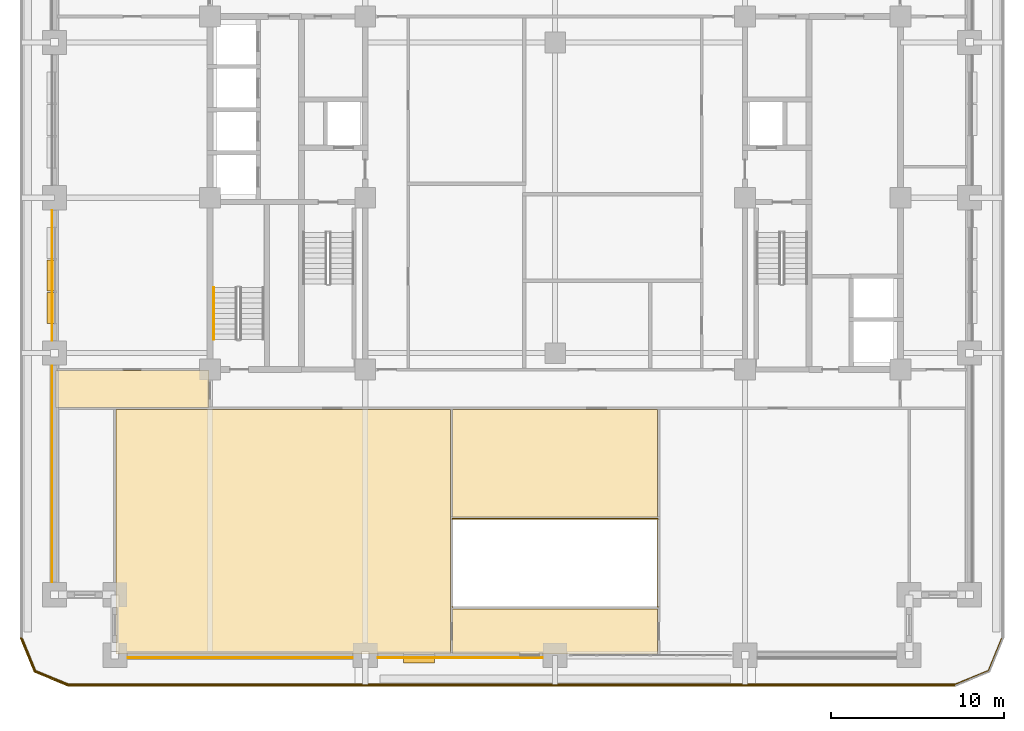
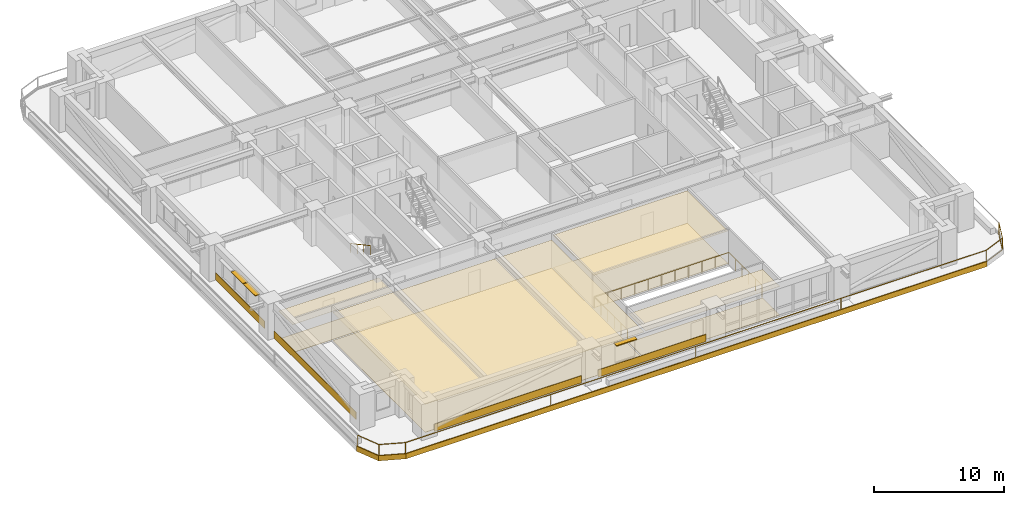
# One storey, part 13 of 20: 15 coverings, 3 railings, 3 shading devices.
"""IFC4 building model written with IfcOpenShell, lengths in metres."""

import ifcopenshell
import ifcopenshell.guid

model = None  # the IFC model being written
_history = None  # IfcOwnerHistory: only IFC2X3 demands one
_inside = {}  # id of a spatial element -> (the spatial element, [elements in it])
_under = {}  # id of a project, library or spatial element -> (it, [spatial elements below it])
_declared = {}  # id of a project -> (the project, [libraries it declares])
_typed = {}  # id of a type object -> (the type object, [elements of that type])
_made_of = {}  # id of a material, layer set ... -> (it, [elements and type objects made of it])


def new_model(schema):
    """Start an empty IFC model of exactly this schema.

    Asked for "IFC4X3", IfcOpenShell would pick the latest addendum, in which some entities
    have other attributes; the version numbers below select the first issue.
    IFC2X3 requires an IfcOwnerHistory on every rooted entity: one is made here for all.
    """
    global model, _history
    if schema == "IFC4X3":
        model = ifcopenshell.file(schema_version=(4, 3, 0, 0))
    else:
        model = ifcopenshell.file(schema=schema)
    _inside.clear()
    _under.clear()
    _declared.clear()
    _typed.clear()
    _made_of.clear()
    _history = None
    if model.schema == "IFC2X3":
        org = make("IfcOrganization", Name="unknown")
        user = make(
            "IfcPersonAndOrganization",
            ThePerson=make("IfcPerson", FamilyName="unknown"),
            TheOrganization=org,
        )
        app = make(
            "IfcApplication",
            ApplicationDeveloper=org,
            Version="unknown",
            ApplicationFullName="unknown",
            ApplicationIdentifier="unknown",
        )
        _history = make(
            "IfcOwnerHistory",
            OwningUser=user,
            OwningApplication=app,
            ChangeAction="ADDED",
            CreationDate=0,
        )
    return model


def make(cls, **values):
    """One entity of the class cls with the attributes given. An attribute that is None is left unset."""
    return model.create_entity(
        cls, **{name: value for name, value in values.items() if value is not None}
    )


def rooted(cls, **values):
    """An entity with a GlobalId (a new one), such as an element, a storey or a relation."""
    return make(cls, GlobalId=ifcopenshell.guid.new(), OwnerHistory=_history, **values)


def si_unit(unit_type, name, prefix=None):
    """IfcSIUnit, for example si_unit("LENGTHUNIT", "METRE", prefix="MILLI")."""
    return make("IfcSIUnit", UnitType=unit_type, Prefix=prefix, Name=name)


def assignment(units):
    """IfcUnitAssignment: the units of a project."""
    return None if units is None else make("IfcUnitAssignment", Units=units)


def point(xyz):
    """IfcCartesianPoint."""
    return None if xyz is None else make("IfcCartesianPoint", Coordinates=xyz)


def direction(xyz):
    """IfcDirection."""
    return None if xyz is None else make("IfcDirection", DirectionRatios=xyz)


def frame(location, z_axis=None, x_axis=None):
    """IfcAxis2Placement3D, a coordinate frame: its origin and axes. An axis left out is left unset."""
    return make(
        "IfcAxis2Placement3D",
        Location=point(location),
        Axis=direction(z_axis),
        RefDirection=direction(x_axis),
    )


def frame_2d(location, x_axis=None):
    """IfcAxis2Placement2D, a coordinate frame in the plane: its origin and x axis."""
    return make(
        "IfcAxis2Placement2D", Location=point(location), RefDirection=direction(x_axis)
    )


def origin():
    """The frame at (0, 0, 0) with its axes left unset."""
    return frame((0.0, 0.0, 0.0))


def origin_2d():
    """The frame at (0, 0) in the plane with its x axis left unset."""
    return frame_2d((0.0, 0.0))


def place(relative_to, where):
    """IfcLocalPlacement: puts the frame where relative to a parent placement (None: the world)."""
    return make(
        "IfcLocalPlacement", PlacementRelTo=relative_to, RelativePlacement=where
    )


def context(
    kind, dimensions, precision=None, world=None, true_north=None, identifier=None
):
    """IfcGeometricRepresentationContext, for example the 3D "Model" context."""
    return make(
        "IfcGeometricRepresentationContext",
        ContextIdentifier=identifier,
        ContextType=kind,
        CoordinateSpaceDimension=dimensions,
        Precision=precision,
        WorldCoordinateSystem=world,
        TrueNorth=true_north,
    )


def subcontext(parent, identifier, kind, view, scale=None):
    """IfcGeometricRepresentationSubContext, for example "Body" below "Model"."""
    return make(
        "IfcGeometricRepresentationSubContext",
        ContextIdentifier=identifier,
        ContextType=kind,
        ParentContext=parent,
        TargetScale=scale,
        TargetView=view,
    )


def project(units=None, contexts=None):
    """IfcProject with its units and contexts."""
    return rooted(
        "IfcProject",
        Name="project",
        RepresentationContexts=contexts,
        UnitsInContext=assignment(units),
    )


def spatial(cls, under=None, at=None, **own):
    """A site, building, storey or space (cls), placed at a placement, below another one or the project."""
    s = rooted(cls, ObjectPlacement=at, **own)
    if under is not None:
        _under.setdefault(under.id(), (under, []))[1].append(s)
    return s


def polyline(points):
    """IfcPolyline through the points."""
    return make("IfcPolyline", Points=[point(p) for p in points])


def profile(cls, at=None, kind="AREA", **sizes):
    """A parametric profile (cls). Its sizes go by their IFC names, for example OverallWidth=200.0."""
    return make(cls, ProfileType=kind, Position=at, **sizes)


def rectangle(**sizes):
    """IfcRectangleProfileDef."""
    return profile("IfcRectangleProfileDef", **sizes)


def outline(outer, holes=None, kind="AREA"):
    """IfcArbitraryClosedProfileDef: a profile drawn as a closed curve; with holes, ...WithVoids."""
    if holes is None:
        return make("IfcArbitraryClosedProfileDef", ProfileType=kind, OuterCurve=outer)
    return make(
        "IfcArbitraryProfileDefWithVoids",
        ProfileType=kind,
        OuterCurve=outer,
        InnerCurves=holes,
    )


def extrude(swept, where, along, depth):
    """IfcExtrudedAreaSolid: the profile swept, set in the frame where, extruded along a direction by depth."""
    return make(
        "IfcExtrudedAreaSolid",
        SweptArea=swept,
        Position=where,
        ExtrudedDirection=direction(along),
        Depth=depth,
    )


def shape(context_of_items, identifier, shape_type, items):
    """IfcShapeRepresentation: the items that make up one representation, for example the "Body"."""
    return make(
        "IfcShapeRepresentation",
        ContextOfItems=context_of_items,
        RepresentationIdentifier=identifier,
        RepresentationType=shape_type,
        Items=items,
    )


def material(Name=None, Category=None):
    """IfcMaterial."""
    return make("IfcMaterial", Name=Name, Category=Category)


def layer(
    of_material, thickness, ventilated=None, Name=None, Category=None, Priority=None
):
    """IfcMaterialLayer: one layer of a wall or slab, of a material (None: an air gap)."""
    return make(
        "IfcMaterialLayer",
        Material=of_material,
        LayerThickness=thickness,
        IsVentilated=ventilated,
        Name=Name,
        Category=Category,
        Priority=Priority,
    )


def layer_set(layers, Name=None):
    """IfcMaterialLayerSet."""
    return make("IfcMaterialLayerSet", MaterialLayers=layers, LayerSetName=Name)


def made_of(thing, what):
    """Note that an element or type object is made of a material, layer set ...; save() writes the relation."""
    if what is not None:
        _made_of.setdefault(what.id(), (what, []))[1].append(thing)
    return thing


def type_object(cls, material=None, **own):
    """A type object (cls), such as IfcWallType, which elements share."""
    return made_of(rooted(cls, **own), material)


def element(
    cls,
    number,
    at=None,
    inside=None,
    cuts=None,
    type_object=None,
    material=None,
    context=None,
    identifier="Body",
    shape_type=None,
    held_by="IfcProductDefinitionShape",
    body=None,
    shapes=None,
    **own,
):
    """One element of the class cls, such as IfcWall. Its Tag is "e" and its number.

    at: its placement. inside: the storey or other place that contains it. cuts: it is an
    opening in that element (IfcRelVoidsElement). A single representation is given by context,
    identifier, shape_type and body (its items); several are given by shapes. held_by: the class
    of the entity that holds the representations. save() writes the other relations.
    """
    e = rooted(cls, Tag="e%d" % number, ObjectPlacement=at, **own)
    if body is not None:
        shapes = [shape(context, identifier, shape_type, body)]
    if shapes is not None:
        e.Representation = make(held_by, Representations=shapes)
    if inside is not None:
        _inside.setdefault(inside.id(), (inside, []))[1].append(e)
    if cuts is not None:
        rooted(
            "IfcRelVoidsElement", RelatingBuildingElement=cuts, RelatedOpeningElement=e
        )
    if type_object is not None:
        _typed.setdefault(type_object.id(), (type_object, []))[1].append(e)
    return made_of(e, material)


def aggregate(whole, parts):
    """IfcRelAggregates: a whole, such as a stair, and the parts it consists of."""
    return rooted("IfcRelAggregates", RelatingObject=whole, RelatedObjects=parts)


def save(model, path):
    """Write the relations noted so far, then the file.

    IfcRelAggregates (storeys below a building ...), IfcRelContainedInSpatialStructure (elements
    in a storey), IfcRelDefinesByType, IfcRelAssociatesMaterial and IfcRelDeclares: one each for
    every whole, place, type object, material and project.
    """
    for whole, parts in _under.values():
        aggregate(whole, parts)
    for where, things in _inside.values():
        rooted(
            "IfcRelContainedInSpatialStructure",
            RelatedElements=things,
            RelatingStructure=where,
        )
    for kind, things in _typed.values():
        rooted("IfcRelDefinesByType", RelatedObjects=things, RelatingType=kind)
    for what, things in _made_of.values():
        rooted("IfcRelAssociatesMaterial", RelatedObjects=things, RelatingMaterial=what)
    for by, libraries in _declared.values():
        rooted("IfcRelDeclares", RelatingContext=by, RelatedDefinitions=libraries)
    model.write(path)


model = new_model("IFC4")

# Units and contexts
model_context = context("Model", 3, precision=1e-05, world=origin(), true_north=direction((0.0, 1.0)))
body_context = subcontext(model_context, "Body", "Model", "MODEL_VIEW")
ifc_project = project(units=[si_unit("LENGTHUNIT", "METRE"), si_unit("AREAUNIT", "SQUARE_METRE"), si_unit("VOLUMEUNIT", "CUBIC_METRE"), si_unit("PLANEANGLEUNIT", "RADIAN"), si_unit("MASSUNIT", "GRAM", prefix="KILO")], contexts=[model_context])

# Site, building, storey
site_placement = place(None, origin())
site = spatial("IfcSite", under=ifc_project, at=site_placement, CompositionType="ELEMENT")
building_placement = place(site_placement, origin())
building = spatial("IfcBuilding", under=site, at=building_placement, Name="Zulmaris Gate Convention Tower", CompositionType="ELEMENT")
storey_placement = place(building_placement, frame((0.0, 0.0, 75.0400390625)))
storey = spatial("IfcBuildingStorey", under=building, at=storey_placement, Name="L18", CompositionType="ELEMENT", Elevation=75.0400390625)

# Coverings
ifc_material_1 = material(Name="Precast concrete C40/50", Category="concrete")
ifc_layer_1 = layer(ifc_material_1, 0.0400390625, Name="Precast concrete C40/50")
ifc_layer_set_1 = layer_set([ifc_layer_1], Name="Precast concrete C40/50")
covering_type_1 = type_object("IfcCoveringType", Name="CLAD-SPANDREL-PRECAST", PredefinedType="CLADDING", material=ifc_layer_set_1)
covering_1_placement = place(storey_placement, frame((-24.77001953125, -26.64990234375, 0.0), z_axis=(0.0, 0.0, 1.0), x_axis=(1.0, 0.0, 0.0)))
element("IfcCovering", 1, at=covering_1_placement, inside=storey, type_object=covering_type_1, Name="CLD-L18-S-0_0", PredefinedType="CLADDING", context=body_context, shape_type="SweptSolid", body=[
    extrude(rectangle(XDim=13.0400390625, YDim=0.0400390625, at=frame_2d((6.52001953125, 0.0))), origin(), (0.0, 0.0, 1.0), 0.679931640625),
])
covering_2_placement = place(storey_placement, frame((-10.27001953125, -26.64990234375, 0.0), z_axis=(0.0, 0.0, 1.0), x_axis=(1.0, 0.0, 0.0)))
element("IfcCovering", 2, at=covering_2_placement, inside=storey, type_object=covering_type_1, Name="CLD-L18-S-1_0", PredefinedType="CLADDING", context=body_context, shape_type="SweptSolid", body=[
    extrude(rectangle(XDim=9.5400390625, YDim=0.0400390625, at=frame_2d((4.77001953125, 0.0))), origin(), (0.0, 0.0, 1.0), 0.679931640625),
])
covering_3_placement = place(storey_placement, frame((-29.14990234375, -9.72998046875, 0.0), z_axis=(0.0, 0.0, 1.0), x_axis=(0.0, -1.0, 0.0)))
element("IfcCovering", 3, at=covering_3_placement, inside=storey, type_object=covering_type_1, Name="CLD-L18-W-0_0", PredefinedType="CLADDING", context=body_context, shape_type="SweptSolid", body=[
    extrude(rectangle(XDim=12.5400390625, YDim=0.0400390625, at=frame_2d((6.27001953125, 0.0))), origin(), (0.0, 0.0, 1.0), 0.679931640625),
])
covering_4_placement = place(storey_placement, frame((-29.14990234375, -0.72998046875, 0.0), z_axis=(0.0, 0.0, 1.0), x_axis=(0.0, -1.0, 0.0)))
element("IfcCovering", 4, at=covering_4_placement, inside=storey, type_object=covering_type_1, Name="CLD-L18-W-1_0", PredefinedType="CLADDING", context=body_context, shape_type="SweptSolid", body=[
    extrude(rectangle(XDim=7.5400390625, YDim=0.0400390625, at=frame_2d((3.77001953125, 0.0))), origin(), (0.0, 0.0, 1.0), 0.679931640625),
])
ifc_material_2 = material(Name="White Glazed Architectural Precast Concrete C40/50", Category="concrete")
ifc_layer_2 = layer(ifc_material_2, 0.080078125, Name="White Glazed Architectural Precast Concrete C40/50")
ifc_layer_set_2 = layer_set([ifc_layer_2], Name="White Glazed Architectural Precast Concrete C40/50")
covering_type_2 = type_object("IfcCoveringType", Name="CLAD-TRAY-FASCIA", PredefinedType="CLADDING", material=ifc_layer_set_2)
covering_5_placement = place(storey_placement, frame((-30.962890625, -25.484619140625, -0.364990234375), z_axis=(0.0, 0.0, 1.0), x_axis=(0.382656984709, -0.923890487046, 0.0)))
element("IfcCovering", 5, at=covering_5_placement, inside=storey, type_object=covering_type_2, Name="FSC-L18-TR-00", PredefinedType="CLADDING", context=body_context, shape_type="SweptSolid", body=[
    extrude(rectangle(XDim=2.14306640625, YDim=0.080078125, at=frame_2d((1.071533203125, 0.0))), origin(), (0.0, 0.0, 1.0), 0.48486328125),
])
covering_6_placement = place(storey_placement, frame((-30.16455078125, -27.44287109375, -0.364990234375), z_axis=(0.0, 0.0, 1.0), x_axis=(0.923873803533, -0.382697263049, 0.0)))
element("IfcCovering", 6, at=covering_6_placement, inside=storey, type_object=covering_type_2, Name="FSC-L18-TR-01", PredefinedType="CLADDING", context=body_context, shape_type="SweptSolid", body=[
    extrude(rectangle(XDim=2.142822265625, YDim=0.080078125, at=frame_2d((1.0712890625, 0.0))), origin(), (0.0, 0.0, 1.0), 0.48486328125),
])
covering_7_placement = place(storey_placement, frame((-28.199951171875, -28.260009765625, -0.364990234375), z_axis=(0.0, 0.0, 1.0), x_axis=(1.0, 0.0, 0.0)))
element("IfcCovering", 7, at=covering_7_placement, inside=storey, type_object=covering_type_2, Name="FSC-L18-TR-02", PredefinedType="CLADDING", context=body_context, shape_type="SweptSolid", body=[
    extrude(rectangle(XDim=51.39990234375, YDim=0.080078125, at=frame_2d((25.699951171875, 0.0))), origin(), (0.0, 0.0, 1.0), 0.48486328125),
])
ifc_material_3 = material(Name="Mineral Fibre Acoustic Ceiling Tile")
ifc_layer_3 = layer(ifc_material_3, 0.02001953125, Name="Mineral Fibre Acoustic Ceiling Tile")
ifc_layer_set_3 = layer_set([ifc_layer_3], Name="Mineral Fibre Acoustic Ceiling Tile")
covering_type_3 = type_object("IfcCoveringType", Name="CLG-ACOUSTIC-600", PredefinedType="CEILING", material=ifc_layer_set_3)
covering_8_placement = place(storey_placement, frame((0.0, 0.0, 2.679931640625)))
element("IfcCovering", 8, at=covering_8_placement, inside=storey, type_object=covering_type_3, Name="CLG-L18-R36", PredefinedType="CEILING", context=body_context, shape_type="SweptSolid", body=[
    extrude(outline(polyline([(-5.93994140625, -26.43994140625), (5.93994140625, -26.43994140625), (5.93994140625, -23.81005859375), (-5.93994140625, -23.81005859375), (-5.93994140625, -26.43994140625)])), origin(), (0.0, 0.0, 1.0), 0.02001953125),
])
covering_9_placement = place(storey_placement, frame((0.0, 0.0, 3.039794921875)))
element("IfcCovering", 9, at=covering_9_placement, inside=storey, type_object=covering_type_3, Name="CLG-L18-R37", PredefinedType="CEILING", context=body_context, shape_type="SweptSolid", body=[
    extrude(outline(polyline([(-5.93994140625, -18.489990234375), (5.93994140625, -18.489990234375), (5.93994140625, -12.260009765625), (-5.93994140625, -12.260009765625), (-5.93994140625, -18.489990234375)])), origin(), (0.0, 0.0, 1.0), 0.02001953125),
])
covering_10_placement = place(storey_placement, frame((0.0, 0.0, 2.6279296875)))
element("IfcCovering", 10, at=covering_10_placement, inside=storey, type_object=covering_type_3, Name="CLG-L18-R38", PredefinedType="CEILING", context=body_context, shape_type="SweptSolid", body=[
    extrude(outline(polyline([(-25.43994140625, -26.43994140625), (-6.06005859375, -26.43994140625), (-6.06005859375, -12.260009765625), (-25.43994140625, -12.260009765625), (-25.43994140625, -26.43994140625)])), origin(), (0.0, 0.0, 1.0), 0.02001953125),
])
covering_11_placement = place(storey_placement, frame((0.0, 0.0, 2.6279296875)))
element("IfcCovering", 11, at=covering_11_placement, inside=storey, type_object=covering_type_3, Name="CLG-L18-R47", PredefinedType="CEILING", context=body_context, shape_type="SweptSolid", body=[
    extrude(outline(polyline([(-28.93994140625, -12.139892578125), (-20.06005859375, -12.139892578125), (-20.06005859375, -10.010009765625), (-28.93994140625, -10.010009765625), (-28.93994140625, -12.139892578125)])), origin(), (0.0, 0.0, 1.0), 0.02001953125),
])
ifc_material_4 = material(Name="Woven Acoustic Wool Carpet Tile")
ifc_layer_4 = layer(ifc_material_4, 0.02001953125, Name="Woven Acoustic Wool Carpet Tile")
ifc_layer_set_4 = layer_set([ifc_layer_4], Name="Woven Acoustic Wool Carpet Tile")
covering_type_4 = type_object("IfcCoveringType", Name="FLR-CARPET-12", PredefinedType="FLOORING", material=ifc_layer_set_4)
covering_12_placement = place(storey_placement, origin())
element("IfcCovering", 12, at=covering_12_placement, inside=storey, type_object=covering_type_4, Name="FLR-L18-R38", PredefinedType="FLOORING", context=body_context, shape_type="SweptSolid", body=[
    extrude(outline(polyline([(-25.43994140625, -26.43994140625), (-6.06005859375, -26.43994140625), (-6.06005859375, -12.260009765625), (-25.43994140625, -12.260009765625), (-25.43994140625, -26.43994140625)])), origin(), (0.0, 0.0, 1.0), 0.02001953125),
])
covering_13_placement = place(storey_placement, origin())
element("IfcCovering", 13, at=covering_13_placement, inside=storey, type_object=covering_type_4, Name="FLR-L18-R47", PredefinedType="FLOORING", context=body_context, shape_type="SweptSolid", body=[
    extrude(outline(polyline([(-28.93994140625, -12.139892578125), (-20.06005859375, -12.139892578125), (-20.06005859375, -10.010009765625), (-28.93994140625, -10.010009765625), (-28.93994140625, -12.139892578125)])), origin(), (0.0, 0.0, 1.0), 0.02001953125),
])
ifc_material_5 = material(Name="Engineered Teak Parquet Flooring")
ifc_layer_5 = layer(ifc_material_5, 0.02001953125, Name="Engineered Teak Parquet Flooring")
ifc_layer_set_5 = layer_set([ifc_layer_5], Name="Engineered Teak Parquet Flooring")
covering_type_5 = type_object("IfcCoveringType", Name="FLR-TIMBER-18", PredefinedType="FLOORING", material=ifc_layer_set_5)
covering_14_placement = place(storey_placement, origin())
element("IfcCovering", 14, at=covering_14_placement, inside=storey, type_object=covering_type_5, Name="FLR-L18-R36", PredefinedType="FLOORING", context=body_context, shape_type="SweptSolid", body=[
    extrude(outline(polyline([(-5.93994140625, -26.43994140625), (5.93994140625, -26.43994140625), (5.93994140625, -23.81005859375), (-5.93994140625, -23.81005859375), (-5.93994140625, -26.43994140625)])), origin(), (0.0, 0.0, 1.0), 0.02001953125),
])
covering_15_placement = place(storey_placement, origin())
element("IfcCovering", 15, at=covering_15_placement, inside=storey, type_object=covering_type_5, Name="FLR-L18-R37", PredefinedType="FLOORING", context=body_context, shape_type="SweptSolid", body=[
    extrude(outline(polyline([(-5.93994140625, -18.489990234375), (5.93994140625, -18.489990234375), (5.93994140625, -12.260009765625), (-5.93994140625, -12.260009765625), (-5.93994140625, -18.489990234375)])), origin(), (0.0, 0.0, 1.0), 0.02001953125),
])

# Railings
ifc_material_6 = material(Name="Laminated Glass and Stainless Steel", Category="steel")
railing_type_1 = type_object("IfcRailingType", Name="RL-BALC-1150", PredefinedType="BALUSTRADE", material=ifc_material_6)
railing_1_placement = place(storey_placement, frame((-30.8798828125, -25.5, -0.0400390625)))
element("IfcRailing", 16, at=railing_1_placement, inside=storey, type_object=railing_type_1, Name="RL-L18-BALC-S", PredefinedType="BALUSTRADE", context=body_context, shape_type="SweptSolid", body=[
    extrude(rectangle(XDim=0.048095703125, YDim=0.048095703125, at=origin_2d()), frame((0.0, 0.0, 1.1259765625), z_axis=(0.382670664694, -0.92388482095, 0.0), x_axis=(0.92388482095, 0.382670664694, 0.0)), (0.0, 0.0, 1.0), 2.051025390625),
    extrude(rectangle(XDim=0.048095703125, YDim=0.048095703125, at=origin_2d()), frame((0.0, 0.0, 0.02392578125), z_axis=(0.382670664694, -0.92388482095, 0.0), x_axis=(0.92388482095, 0.382670664694, 0.0)), (0.0, 0.0, 1.0), 2.051025390625),
    extrude(rectangle(XDim=0.048095703125, YDim=0.048095703125, at=origin_2d()), frame((0.784912109375, -1.89501953125, 1.1259765625), z_axis=(0.92388482095, -0.382670664694, 0.0), x_axis=(0.382670664694, 0.92388482095, 0.0)), (0.0, 0.0, 1.0), 2.051025390625),
    extrude(rectangle(XDim=0.048095703125, YDim=0.048095703125, at=origin_2d()), frame((0.784912109375, -1.89501953125, 0.02392578125), z_axis=(0.92388482095, -0.382670664694, 0.0), x_axis=(0.382670664694, 0.92388482095, 0.0)), (0.0, 0.0, 1.0), 2.051025390625),
    extrude(rectangle(XDim=0.048095703125, YDim=0.048095703125, at=origin_2d()), frame((2.679931640625, -2.679931640625, 1.1259765625), z_axis=(1.0, 0.0, 0.0), x_axis=(0.0, 1.0, 0.0)), (0.0, 0.0, 1.0), 51.39990234375),
    extrude(rectangle(XDim=0.048095703125, YDim=0.048095703125, at=origin_2d()), frame((2.679931640625, -2.679931640625, 0.02392578125), z_axis=(1.0, 0.0, 0.0), x_axis=(0.0, 1.0, 0.0)), (0.0, 0.0, 1.0), 51.39990234375),
    extrude(rectangle(XDim=0.048095703125, YDim=0.048095703125, at=origin_2d()), frame((54.079833984375, -2.679931640625, 1.1259765625), z_axis=(0.92388482095, 0.382670664694, 0.0), x_axis=(-0.382670664694, 0.92388482095, 0.0)), (0.0, 0.0, 1.0), 2.051025390625),
    extrude(rectangle(XDim=0.048095703125, YDim=0.048095703125, at=origin_2d()), frame((54.079833984375, -2.679931640625, 0.02392578125), z_axis=(0.92388482095, 0.382670664694, 0.0), x_axis=(-0.382670664694, 0.92388482095, 0.0)), (0.0, 0.0, 1.0), 2.051025390625),
    extrude(rectangle(XDim=0.048095703125, YDim=0.048095703125, at=origin_2d()), frame((55.974853515625, -1.89501953125, 1.1259765625), z_axis=(0.382670664694, 0.92388482095, 0.0), x_axis=(-0.92388482095, 0.382670664694, 0.0)), (0.0, 0.0, 1.0), 2.051025390625),
    extrude(rectangle(XDim=0.048095703125, YDim=0.048095703125, at=origin_2d()), frame((55.974853515625, -1.89501953125, 0.02392578125), z_axis=(0.382670664694, 0.92388482095, 0.0), x_axis=(-0.92388482095, 0.382670664694, 0.0)), (0.0, 0.0, 1.0), 2.051025390625),
    extrude(rectangle(XDim=0.0419921875, YDim=0.0419921875, at=origin_2d()), origin(), (0.0, 0.0, 1.0), 1.101806640625),
    extrude(rectangle(XDim=0.0419921875, YDim=0.0419921875, at=origin_2d()), frame((0.784912109375, -1.89501953125, 0.0)), (0.0, 0.0, 1.0), 1.101806640625),
    extrude(rectangle(XDim=0.0419921875, YDim=0.0419921875, at=origin_2d()), frame((2.679931640625, -2.679931640625, 0.0)), (0.0, 0.0, 1.0), 1.101806640625),
    extrude(rectangle(XDim=0.0419921875, YDim=0.0419921875, at=origin_2d()), frame((15.52978515625, -2.679931640625, 0.0)), (0.0, 0.0, 1.0), 1.101806640625),
    extrude(rectangle(XDim=0.0419921875, YDim=0.0419921875, at=origin_2d()), frame((28.3798828125, -2.679931640625, 0.0)), (0.0, 0.0, 1.0), 1.101806640625),
    extrude(rectangle(XDim=0.0419921875, YDim=0.0419921875, at=origin_2d()), frame((41.22998046875, -2.679931640625, 0.0)), (0.0, 0.0, 1.0), 1.101806640625),
    extrude(rectangle(XDim=0.0419921875, YDim=0.0419921875, at=origin_2d()), frame((54.079833984375, -2.679931640625, 0.0)), (0.0, 0.0, 1.0), 1.101806640625),
    extrude(rectangle(XDim=0.0419921875, YDim=0.0419921875, at=origin_2d()), frame((55.974853515625, -1.89501953125, 0.0)), (0.0, 0.0, 1.0), 1.101806640625),
    extrude(rectangle(XDim=0.0419921875, YDim=0.0419921875, at=origin_2d()), frame((56.759765625, 0.0, 0.0)), (0.0, 0.0, 1.0), 1.101806640625),
])
ifc_material_7 = material(Name="Painted Galvanised Steel", Category="steel")
railing_type_2 = type_object("IfcRailingType", Name="RL-GUARD-1150", PredefinedType="GUARDRAIL", material=ifc_material_7)
railing_2_placement = place(storey_placement, frame((-5.949951171875, -23.699951171875, 0.0)))
element("IfcRailing", 17, at=railing_2_placement, inside=storey, type_object=railing_type_2, Name="RL-L18-SKYGARDEN-VOID", PredefinedType="GUARDRAIL", context=body_context, shape_type="SweptSolid", body=[
    extrude(rectangle(XDim=0.048095703125, YDim=0.048095703125, at=origin_2d()), frame((0.0, 0.0, 1.1259765625), z_axis=(0.0, 1.0, 0.0), x_axis=(-1.0, 0.0, 0.0)), (0.0, 0.0, 1.0), 5.099853515625),
    extrude(rectangle(XDim=0.048095703125, YDim=0.048095703125, at=origin_2d()), frame((0.0, 5.099853515625, 1.1259765625), z_axis=(1.0, 0.0, 0.0), x_axis=(0.0, 1.0, 0.0)), (0.0, 0.0, 1.0), 11.89990234375),
    extrude(rectangle(XDim=0.048095703125, YDim=0.048095703125, at=origin_2d()), frame((11.89990234375, 5.099853515625, 1.1259765625), z_axis=(0.0, -1.0, 0.0), x_axis=(1.0, 0.0, 0.0)), (0.0, 0.0, 1.0), 5.099853515625),
    extrude(rectangle(XDim=0.0419921875, YDim=0.0419921875, at=origin_2d()), origin(), (0.0, 0.0, 1.0), 1.101806640625),
    extrude(rectangle(XDim=0.0419921875, YDim=0.0419921875, at=origin_2d()), frame((0.0, 1.02001953125, 0.0)), (0.0, 0.0, 1.0), 1.101806640625),
    extrude(rectangle(XDim=0.0419921875, YDim=0.0419921875, at=origin_2d()), frame((0.0, 2.0400390625, 0.0)), (0.0, 0.0, 1.0), 1.101806640625),
    extrude(rectangle(XDim=0.0419921875, YDim=0.0419921875, at=origin_2d()), frame((0.0, 3.059814453125, 0.0)), (0.0, 0.0, 1.0), 1.101806640625),
    extrude(rectangle(XDim=0.0419921875, YDim=0.0419921875, at=origin_2d()), frame((0.0, 4.079833984375, 0.0)), (0.0, 0.0, 1.0), 1.101806640625),
    extrude(rectangle(XDim=0.0419921875, YDim=0.0419921875, at=origin_2d()), frame((0.0, 5.099853515625, 0.0)), (0.0, 0.0, 1.0), 1.101806640625),
    extrude(rectangle(XDim=0.0419921875, YDim=0.0419921875, at=origin_2d()), frame((1.18994140625, 5.099853515625, 0.0)), (0.0, 0.0, 1.0), 1.101806640625),
    extrude(rectangle(XDim=0.0419921875, YDim=0.0419921875, at=origin_2d()), frame((2.3798828125, 5.099853515625, 0.0)), (0.0, 0.0, 1.0), 1.101806640625),
    extrude(rectangle(XDim=0.0419921875, YDim=0.0419921875, at=origin_2d()), frame((3.570068359375, 5.099853515625, 0.0)), (0.0, 0.0, 1.0), 1.101806640625),
    extrude(rectangle(XDim=0.0419921875, YDim=0.0419921875, at=origin_2d()), frame((4.760009765625, 5.099853515625, 0.0)), (0.0, 0.0, 1.0), 1.101806640625),
    extrude(rectangle(XDim=0.0419921875, YDim=0.0419921875, at=origin_2d()), frame((5.949951171875, 5.099853515625, 0.0)), (0.0, 0.0, 1.0), 1.101806640625),
    extrude(rectangle(XDim=0.0419921875, YDim=0.0419921875, at=origin_2d()), frame((7.139892578125, 5.099853515625, 0.0)), (0.0, 0.0, 1.0), 1.101806640625),
    extrude(rectangle(XDim=0.0419921875, YDim=0.0419921875, at=origin_2d()), frame((8.329833984375, 5.099853515625, 0.0)), (0.0, 0.0, 1.0), 1.101806640625),
    extrude(rectangle(XDim=0.0419921875, YDim=0.0419921875, at=origin_2d()), frame((9.52001953125, 5.099853515625, 0.0)), (0.0, 0.0, 1.0), 1.101806640625),
    extrude(rectangle(XDim=0.0419921875, YDim=0.0419921875, at=origin_2d()), frame((10.7099609375, 5.099853515625, 0.0)), (0.0, 0.0, 1.0), 1.101806640625),
    extrude(rectangle(XDim=0.0419921875, YDim=0.0419921875, at=origin_2d()), frame((11.89990234375, 5.099853515625, 0.0)), (0.0, 0.0, 1.0), 1.101806640625),
    extrude(rectangle(XDim=0.0419921875, YDim=0.0419921875, at=origin_2d()), frame((11.89990234375, 4.079833984375, 0.0)), (0.0, 0.0, 1.0), 1.101806640625),
    extrude(rectangle(XDim=0.0419921875, YDim=0.0419921875, at=origin_2d()), frame((11.89990234375, 3.059814453125, 0.0)), (0.0, 0.0, 1.0), 1.101806640625),
    extrude(rectangle(XDim=0.0419921875, YDim=0.0419921875, at=origin_2d()), frame((11.89990234375, 2.0400390625, 0.0)), (0.0, 0.0, 1.0), 1.101806640625),
    extrude(rectangle(XDim=0.0419921875, YDim=0.0419921875, at=origin_2d()), frame((11.89990234375, 1.02001953125, 0.0)), (0.0, 0.0, 1.0), 1.101806640625),
    extrude(rectangle(XDim=0.0419921875, YDim=0.0419921875, at=origin_2d()), frame((11.89990234375, 0.0, 0.0)), (0.0, 0.0, 1.0), 1.101806640625),
])
ifc_material_8 = material(Name="Brushed Stainless Steel", Category="steel")
railing_type_3 = type_object("IfcRailingType", Name="RL-STH-900", PredefinedType="HANDRAIL", material=ifc_material_8)
railing_3_placement = place(storey_placement, frame((-19.77001953125, -5.199951171875, 1.947265625)))
element("IfcRailing", 18, at=railing_3_placement, inside=storey, type_object=railing_type_3, Name="L18 ST-3 stair handrail 2", PredefinedType="HANDRAIL", context=body_context, shape_type="SweptSolid", body=[
    extrude(rectangle(XDim=0.048095703125, YDim=0.048095703125, at=origin_2d()), frame((0.0, 0.0, 0.8759765625), z_axis=(0.0, -0.879591569277, 0.475729619907), x_axis=(1.0, 0.0, 0.0)), (0.0, 0.0, 1.0), 3.41064453125),
    extrude(rectangle(XDim=0.0419921875, YDim=0.0419921875, at=origin_2d()), origin(), (0.0, 0.0, 1.0), 0.851806640625),
    extrude(rectangle(XDim=0.0419921875, YDim=0.0419921875, at=origin_2d()), frame((0.0, -1.0, 0.540771484375)), (0.0, 0.0, 1.0), 0.851806640625),
    extrude(rectangle(XDim=0.0419921875, YDim=0.0419921875, at=origin_2d()), frame((0.0, -2.0, 1.081787109375)), (0.0, 0.0, 1.0), 0.851806640625),
    extrude(rectangle(XDim=0.0419921875, YDim=0.0419921875, at=origin_2d()), frame((0.0, -3.0, 1.62255859375)), (0.0, 0.0, 1.0), 0.851806640625),
])

# Shading devices
ifc_material_9 = material(Name="Glazed Ceramic Terracotta", Category="masonry")
ifc_layer_6 = layer(ifc_material_9, 0.070068359375, Name="Glazed Ceramic Terracotta")
ifc_layer_set_6 = layer_set([ifc_layer_6], Name="Glazed Ceramic Terracotta")
shading_device_type = type_object("IfcShadingDeviceType", Name="SHD-SUNSHADE-TC", PredefinedType="AWNING", material=ifc_layer_set_6)
for number, where, z_axis, x_axis, name in (
    (19, (-8.784912109375, -26.719970703125, 2.530029296875), (0.0, 0.0, 1.0), (1.0, 0.0, 0.0), "SHD-EW-L18-S-1_0-1"),
    (20, (-29.219970703125, -3.60009765625, 2.530029296875), (0.0, 0.0, 1.0), (0.0, -1.0, 0.0), "SHD-EW-L18-W-1_0-2"),
    (21, (-29.219970703125, -5.485107421875, 2.530029296875), (0.0, 0.0, 1.0), (0.0, -1.0, 0.0), "SHD-EW-L18-W-1_0-3"),
):
    element("IfcShadingDevice", number, at=place(storey_placement, frame(where, z_axis=z_axis, x_axis=x_axis)), inside=storey, type_object=shading_device_type, Name=name, PredefinedType="AWNING", context=body_context, shape_type="SweptSolid", body=[
        extrude(rectangle(XDim=1.7998046875, YDim=0.43994140625, at=frame_2d((0.89990234375, 0.0))), origin(), (0.0, 0.0, 1.0), 0.06982421875),
    ])

save(model, "model.ifc")
